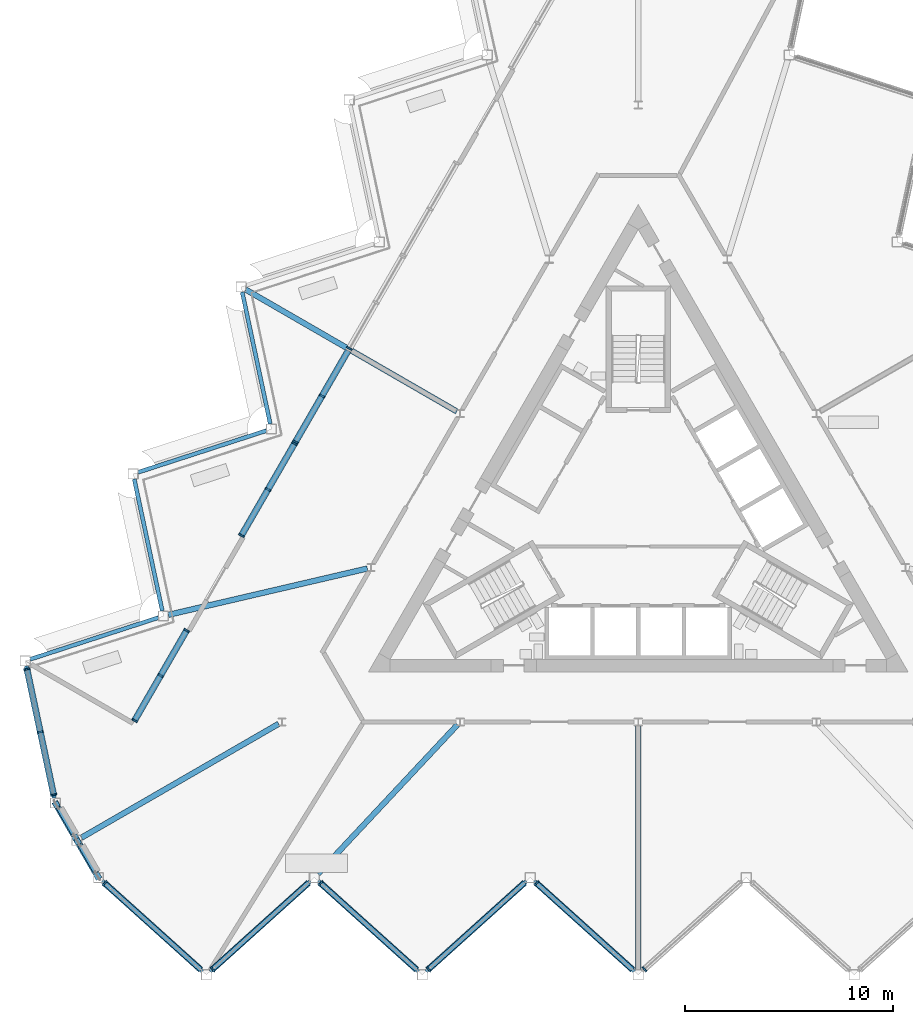
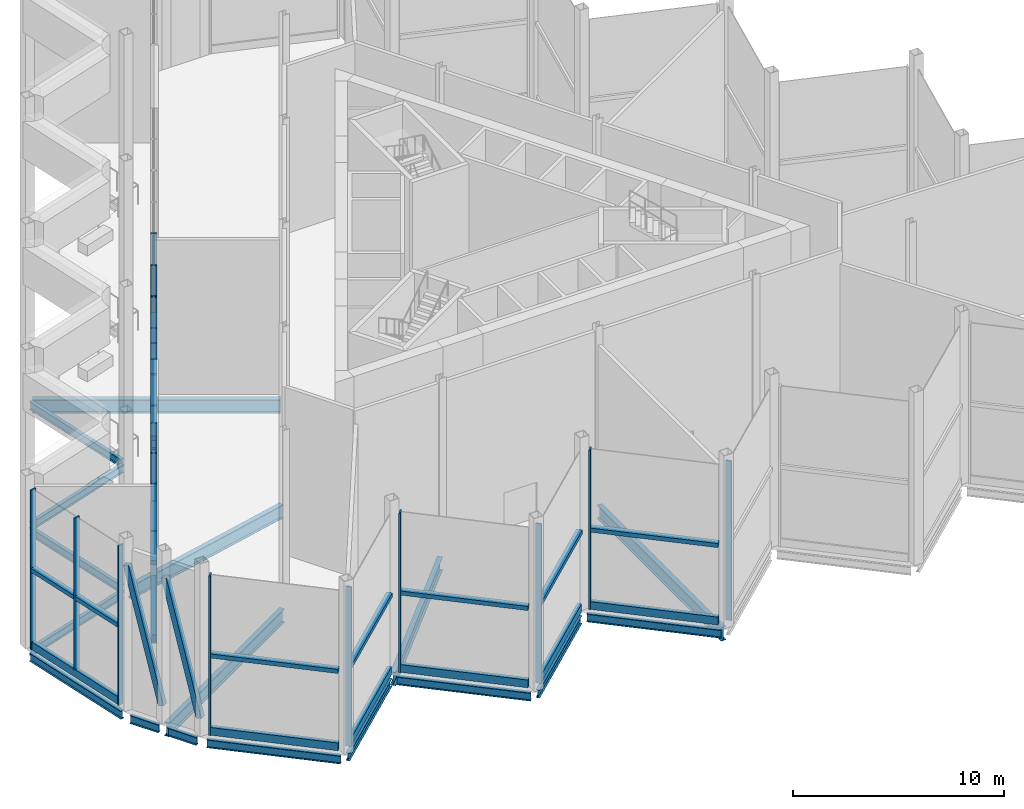
# One storey, part 4 of 18: 42 members, 17 beams, 6 elements without a shape of their own.
"""IFC4 building model written with IfcOpenShell, lengths in metres."""

from ifc_helpers import new_model, si_unit, direction, frame, origin, origin_2d, place, context, subcontext, project, spatial, rectangle, hollow_rectangle, i_section, extrude, material, layer, layer_set, material_profile, profile_set, type_object, element, aggregate, save


model = new_model("IFC4")

# Units and contexts
model_context = context("Model", 3, precision=1e-05, world=origin(), true_north=direction((0.0, 1.0)))
body_context = subcontext(model_context, "Body", "Model", "MODEL_VIEW")
ifc_project = project(units=[si_unit("LENGTHUNIT", "METRE"), si_unit("AREAUNIT", "SQUARE_METRE"), si_unit("VOLUMEUNIT", "CUBIC_METRE"), si_unit("PLANEANGLEUNIT", "RADIAN"), si_unit("MASSUNIT", "GRAM", prefix="KILO")], contexts=[model_context])

# Site, building, storey
site_placement = place(None, origin())
site = spatial("IfcSite", under=ifc_project, at=site_placement, CompositionType="ELEMENT")
building_placement = place(site_placement, origin())
building = spatial("IfcBuilding", under=site, at=building_placement, Name="Cormorant Prow Tower", CompositionType="ELEMENT")
storey_placement = place(building_placement, frame((0.0, 0.0, 405.199951171875)))
storey = spatial("IfcBuildingStorey", under=building, at=storey_placement, Name="L93", CompositionType="ELEMENT", Elevation=405.199951171875)

# Members
ifc_material_1 = material(Name="Structural steel ASTM A500 Gr C", Category="steel")
ifc_material_profile_1 = material_profile(ifc_material_1, hollow_rectangle(XDim=0.3046875, YDim=0.3046875, WallThickness=0.01171875, at=origin_2d()), Name="HSS12x12x1/2")
ifc_profile_set_1 = profile_set([ifc_material_profile_1], Name="Structural steel ASTM A500 Gr C")
member_type_1 = type_object("IfcMemberType", Name="Chamfer brace HSS12x12x1/2", PredefinedType="BRACE", material=ifc_profile_set_1)
for number, where, z_axis, x_axis, name in (
    (1, (-27.074462890625, -15.544921875, 0.890625), (-0.124969088668, 0.216475642173, 0.968256692837), (-0.866048237946, -0.499960447986, 0.0), "Chamfer brace BR3 at WSW00 L93"),
    (2, (-26.03759765625, -17.3408203125, 0.890625), (-0.124969946675, 0.21644541018, 0.968263340647), (-0.866016514357, -0.500015396624, 0.0), "Chamfer brace BR3 at WSW01 L93"),
):
    element("IfcMember", number, at=place(storey_placement, frame(where, z_axis=z_axis, x_axis=x_axis)), inside=storey, type_object=member_type_1, Name=name, PredefinedType="BRACE", context=body_context, shape_type="SweptSolid", body=[
        extrude(hollow_rectangle(XDim=0.3046875, YDim=0.3046875, WallThickness=0.01171875, at=origin_2d()), origin(), (0.0, 0.0, 1.0), 7.697265625),
    ])

# Beams
ifc_material_2 = material(Name="Structural steel ASTM A992 Gr 50", Category="steel")
ifc_material_profile_2 = material_profile(ifc_material_2, i_section(OverallWidth=0.267822265625, OverallDepth=0.77001953125, WebThickness=0.015625, FlangeThickness=0.025390625, at=origin_2d()), Name="W30x132")
ifc_profile_set_2 = profile_set([ifc_material_profile_2], Name="Structural steel ASTM A992 Gr 50")
beam_type_1 = type_object("IfcBeamType", Name="Radial floor beam W30x132", PredefinedType="BEAM", material=ifc_profile_set_2)
beam_1_placement = place(storey_placement, frame((-8.740478515625, 5.04638671875, -0.684814453125), z_axis=(-0.866026702285, 0.499997750924, 0.0), x_axis=(-0.499997750924, -0.866026702285, 0.0)))
element("IfcBeam", 3, at=beam_1_placement, inside=storey, type_object=beam_type_1, Name="Radial floor beam FB3 3 L93", PredefinedType="BEAM", context=body_context, shape_type="SweptSolid", body=[
    extrude(i_section(OverallWidth=0.267822265625, OverallDepth=0.77001953125, WebThickness=0.015625, FlangeThickness=0.025390625, at=origin_2d()), origin(), (0.0, 0.0, 1.0), 11.7451171875),
])
beam_2_placement = place(storey_placement, frame((-13.0498046875, -2.518798828125, -0.684814453125), z_axis=(-0.973926084128, -0.226865560752, 0.0), x_axis=(0.226865560752, -0.973926084128, 0.0)))
element("IfcBeam", 4, at=beam_2_placement, inside=storey, type_object=beam_type_1, Name="Radial floor beam FB3 4 L93", PredefinedType="BEAM", context=body_context, shape_type="SweptSolid", body=[
    extrude(i_section(OverallWidth=0.267822265625, OverallDepth=0.77001953125, WebThickness=0.015625, FlangeThickness=0.025390625, at=origin_2d()), origin(), (0.0, 0.0, 1.0), 9.837158203125),
])
beam_3_placement = place(storey_placement, frame((-17.31884765625, -9.9990234375, -0.684814453125), z_axis=(-0.866018830095, -0.500011385791, 0.0), x_axis=(0.500011385791, -0.866018830095, 0.0)))
element("IfcBeam", 5, at=beam_3_placement, inside=storey, type_object=beam_type_1, Name="Radial floor beam FB3 5 L93", PredefinedType="BEAM", context=body_context, shape_type="SweptSolid", body=[
    extrude(i_section(OverallWidth=0.267822265625, OverallDepth=0.77001953125, WebThickness=0.015625, FlangeThickness=0.025390625, at=origin_2d()), origin(), (0.0, 0.0, 1.0), 10.971435546875),
])
beam_4_placement = place(storey_placement, frame((-8.706298828125, -10.0419921875, -0.684814453125), z_axis=(-0.683430760659, -0.730015339144, 0.0), x_axis=(0.730015339144, -0.683430760659, 0.0)))
element("IfcBeam", 6, at=beam_4_placement, inside=storey, type_object=beam_type_1, Name="Radial floor beam FB3 6 L93", PredefinedType="BEAM", context=body_context, shape_type="SweptSolid", body=[
    extrude(i_section(OverallWidth=0.267822265625, OverallDepth=0.77001953125, WebThickness=0.015625, FlangeThickness=0.025390625, at=origin_2d()), origin(), (0.0, 0.0, 1.0), 9.8369140625),
])
beam_5_placement = place(storey_placement, frame((0.0, -10.092529296875, -0.684814453125), z_axis=(0.0, -1.0, 0.0), x_axis=(1.0, 0.0, 0.0)))
element("IfcBeam", 7, at=beam_5_placement, inside=storey, type_object=beam_type_1, Name="Radial floor beam FB3 7 L93", PredefinedType="BEAM", context=body_context, shape_type="SweptSolid", body=[
    extrude(i_section(OverallWidth=0.267822265625, OverallDepth=0.77001953125, WebThickness=0.015625, FlangeThickness=0.025390625, at=origin_2d()), origin(), (0.0, 0.0, 1.0), 11.745361328125),
])

# Curtain wall, members
ifc_material_3 = material(Name="Aluminium 6063-T6", Category="aluminium")
ifc_layer = layer(ifc_material_3, 0.300048828125)
ifc_layer_set = layer_set([ifc_layer], Name="Aluminium 6063-T6")
curtain_wall_type = type_object("IfcCurtainWallType", Name="Sky lobby unitised curtain wall 300", PredefinedType="NOTDEFINED", material=ifc_layer_set)
curtain_wall_1_placement = place(storey_placement, origin())
curtain_wall_1 = element("IfcCurtainWall", 8, at=curtain_wall_1_placement, inside=storey, type_object=curtain_wall_type, Name="Sky lobby curtain wall S00-S09", PredefinedType="NOTDEFINED")
ifc_material_4 = material(Name="Aluminium 6063-T6", Category="aluminium")
ifc_material_profile_3 = material_profile(ifc_material_4, rectangle(XDim=0.300048828125, YDim=0.239990234375, at=origin_2d()), Name="Sky lobby intermediate transom 300x240")
ifc_profile_set_3 = profile_set([ifc_material_profile_3], Name="Aluminium 6063-T6")
member_type_2 = type_object("IfcMemberType", Name="Sky lobby intermediate transom 300x240", PredefinedType="USERDEFINED", material=ifc_profile_set_3)
member_1_placement = place(storey_placement, frame((-25.66845703125, -17.7041015625, 4.616943359375), z_axis=(0.743123371141, -0.669154433046, 0.0), x_axis=(0.669154433046, 0.743123371141, 0.0)))
member_1 = element("IfcMember", 9, at=member_1_placement, type_object=member_type_2, Name="Sky lobby intermediate transom S00-S09", ObjectType="TRANSOM", PredefinedType="USERDEFINED", context=body_context, shape_type="SweptSolid", body=[
    extrude(rectangle(XDim=0.300048828125, YDim=0.239990234375, at=origin_2d()), origin(), (0.0, 0.0, 1.0), 6.185302734375),
])
member_2_placement = place(storey_placement, frame((-20.468505859375, -21.789306640625, 4.616943359375), z_axis=(0.743142998934, 0.669132634935, 0.0), x_axis=(-0.669132634935, 0.743142998934, 0.0)))
member_2 = element("IfcMember", 10, at=member_2_placement, type_object=member_type_2, Name="Sky lobby intermediate transom S00-S09", ObjectType="TRANSOM", PredefinedType="USERDEFINED", context=body_context, shape_type="SweptSolid", body=[
    extrude(rectangle(XDim=0.300048828125, YDim=0.239990234375, at=origin_2d()), origin(), (0.0, 0.0, 1.0), 6.18505859375),
])
member_3_placement = place(storey_placement, frame((-15.2685546875, -17.7041015625, 4.616943359375), z_axis=(0.743141044268, -0.669134805793, 0.0), x_axis=(0.669134805793, 0.743141044268, 0.0)))
member_3 = element("IfcMember", 11, at=member_3_placement, type_object=member_type_2, Name="Sky lobby intermediate transom S00-S09", ObjectType="TRANSOM", PredefinedType="USERDEFINED", context=body_context, shape_type="SweptSolid", body=[
    extrude(rectangle(XDim=0.300048828125, YDim=0.239990234375, at=origin_2d()), origin(), (0.0, 0.0, 1.0), 6.185546875),
])
member_4_placement = place(storey_placement, frame((-10.068603515625, -21.789306640625, 4.616943359375), z_axis=(0.743160671377, 0.669113007286, 0.0), x_axis=(-0.669113007286, 0.743160671377, 0.0)))
member_4 = element("IfcMember", 12, at=member_4_placement, type_object=member_type_2, Name="Sky lobby intermediate transom S00-S09", ObjectType="TRANSOM", PredefinedType="USERDEFINED", context=body_context, shape_type="SweptSolid", body=[
    extrude(rectangle(XDim=0.300048828125, YDim=0.239990234375, at=origin_2d()), origin(), (0.0, 0.0, 1.0), 6.185302734375),
])
member_5_placement = place(storey_placement, frame((-4.86865234375, -17.7041015625, 4.616943359375), z_axis=(0.743141044268, -0.669134805793, 0.0), x_axis=(0.669134805793, 0.743141044268, 0.0)))
member_5 = element("IfcMember", 13, at=member_5_placement, type_object=member_type_2, Name="Sky lobby intermediate transom S00-S09", ObjectType="TRANSOM", PredefinedType="USERDEFINED", context=body_context, shape_type="SweptSolid", body=[
    extrude(rectangle(XDim=0.300048828125, YDim=0.239990234375, at=origin_2d()), origin(), (0.0, 0.0, 1.0), 6.185546875),
])

curtain_wall_2_placement = place(storey_placement, origin())
curtain_wall_2 = element("IfcCurtainWall", 14, at=curtain_wall_2_placement, inside=storey, type_object=curtain_wall_type, Name="Sky lobby curtain wall WNW09", PredefinedType="NOTDEFINED")
member_6_placement = place(storey_placement, frame((-29.435791015625, -7.40576171875, 4.616943359375), z_axis=(0.20786844818, -0.978156791241, 0.0), x_axis=(0.978156791241, 0.20786844818, 0.0)))
member_6 = element("IfcMember", 15, at=member_6_placement, type_object=member_type_2, Name="Sky lobby intermediate transom WNW09", ObjectType="TRANSOM", PredefinedType="USERDEFINED", context=body_context, shape_type="SweptSolid", body=[
    extrude(rectangle(XDim=0.300048828125, YDim=0.239990234375, at=origin_2d()), origin(), (0.0, 0.0, 1.0), 3.0126953125),
])
member_7_placement = place(storey_placement, frame((-28.79296875, -10.4306640625, 4.616943359375), z_axis=(0.207945984856, -0.978140310683, 0.0), x_axis=(0.978140310683, 0.207945984856, 0.0)))
member_7 = element("IfcMember", 16, at=member_7_placement, type_object=member_type_2, Name="Sky lobby intermediate transom WNW09", ObjectType="TRANSOM", PredefinedType="USERDEFINED", context=body_context, shape_type="SweptSolid", body=[
    extrude(rectangle(XDim=0.300048828125, YDim=0.239990234375, at=origin_2d()), origin(), (0.0, 0.0, 1.0), 3.0126953125),
])

curtain_wall_3_placement = place(storey_placement, origin())
curtain_wall_3 = element("IfcCurtainWall", 17, at=curtain_wall_3_placement, inside=storey, type_object=curtain_wall_type, Name="Sky lobby curtain wall loggia WNW05", PredefinedType="NOTDEFINED")
member_8_placement = place(storey_placement, frame((-13.972412109375, 7.974609375, 4.616943359375), z_axis=(-0.50000366821, -0.866023285932, 0.0), x_axis=(0.866023285932, -0.50000366821, 0.0)))
member_8 = element("IfcMember", 18, at=member_8_placement, type_object=member_type_2, Name="Sky lobby intermediate transom loggia WNW05", ObjectType="TRANSOM", PredefinedType="USERDEFINED", context=body_context, shape_type="SweptSolid", body=[
    extrude(rectangle(XDim=0.300048828125, YDim=0.239990234375, at=origin_2d()), origin(), (0.0, 0.0, 1.0), 2.47998046875),
])
member_9_placement = place(storey_placement, frame((-15.25244140625, 5.757568359375, 4.616943359375), z_axis=(-0.50000366821, -0.866023285932, 0.0), x_axis=(0.866023285932, -0.50000366821, 0.0)))
member_9 = element("IfcMember", 19, at=member_9_placement, type_object=member_type_2, Name="Sky lobby intermediate transom loggia WNW05", ObjectType="TRANSOM", PredefinedType="USERDEFINED", context=body_context, shape_type="SweptSolid", body=[
    extrude(rectangle(XDim=0.300048828125, YDim=0.239990234375, at=origin_2d()), origin(), (0.0, 0.0, 1.0), 2.47998046875),
])

curtain_wall_4_placement = place(storey_placement, origin())
curtain_wall_4 = element("IfcCurtainWall", 20, at=curtain_wall_4_placement, inside=storey, type_object=curtain_wall_type, Name="Sky lobby curtain wall loggia WNW06", PredefinedType="NOTDEFINED")
member_10_placement = place(storey_placement, frame((-16.572509765625, 3.47119140625, 4.616943359375), z_axis=(-0.50000366821, -0.866023285932, 0.0), x_axis=(0.866023285932, -0.50000366821, 0.0)))
member_10 = element("IfcMember", 21, at=member_10_placement, type_object=member_type_2, Name="Sky lobby intermediate transom loggia WNW06", ObjectType="TRANSOM", PredefinedType="USERDEFINED", context=body_context, shape_type="SweptSolid", body=[
    extrude(rectangle(XDim=0.300048828125, YDim=0.239990234375, at=origin_2d()), origin(), (0.0, 0.0, 1.0), 2.47998046875),
])
member_11_placement = place(storey_placement, frame((-17.8525390625, 1.25439453125, 4.616943359375), z_axis=(-0.499961042966, -0.86604789447, 0.0), x_axis=(0.86604789447, -0.499961042966, 0.0)))
member_11 = element("IfcMember", 22, at=member_11_placement, type_object=member_type_2, Name="Sky lobby intermediate transom loggia WNW06", ObjectType="TRANSOM", PredefinedType="USERDEFINED", context=body_context, shape_type="SweptSolid", body=[
    extrude(rectangle(XDim=0.300048828125, YDim=0.239990234375, at=origin_2d()), origin(), (0.0, 0.0, 1.0), 2.480224609375),
])

curtain_wall_5_placement = place(storey_placement, origin())
curtain_wall_5 = element("IfcCurtainWall", 23, at=curtain_wall_5_placement, inside=storey, type_object=curtain_wall_type, Name="Sky lobby curtain wall loggia WNW08", PredefinedType="NOTDEFINED")
member_12_placement = place(storey_placement, frame((-21.7724609375, -5.535400390625, 4.616943359375), z_axis=(-0.499972286653, -0.866041403502, 0.0), x_axis=(0.866041403502, -0.499972286653, 0.0)))
member_12 = element("IfcMember", 24, at=member_12_placement, type_object=member_type_2, Name="Sky lobby intermediate transom loggia WNW08", ObjectType="TRANSOM", PredefinedType="USERDEFINED", context=body_context, shape_type="SweptSolid", body=[
    extrude(rectangle(XDim=0.300048828125, YDim=0.239990234375, at=origin_2d()), origin(), (0.0, 0.0, 1.0), 2.425048828125),
])
member_13_placement = place(storey_placement, frame((-23.02490234375, -7.704833984375, 4.616943359375), z_axis=(-0.500047793048, -0.865997808697, 0.0), x_axis=(0.865997808697, -0.500047793048, 0.0)))
member_13 = element("IfcMember", 25, at=member_13_placement, type_object=member_type_2, Name="Sky lobby intermediate transom loggia WNW08", ObjectType="TRANSOM", PredefinedType="USERDEFINED", context=body_context, shape_type="SweptSolid", body=[
    extrude(rectangle(XDim=0.300048828125, YDim=0.239990234375, at=origin_2d()), origin(), (0.0, 0.0, 1.0), 2.425048828125),
])

# Member
ifc_material_5 = material(Name="Aluminium 6063-T6", Category="aluminium")
ifc_material_profile_4 = material_profile(ifc_material_5, rectangle(XDim=0.300048828125, YDim=0.080078125, at=origin_2d()), Name="Sky lobby mullion 80x300")
ifc_profile_set_4 = profile_set([ifc_material_profile_4], Name="Aluminium 6063-T6")
member_type_3 = type_object("IfcMemberType", Name="Sky lobby mullion 80x300", PredefinedType="MULLION", material=ifc_profile_set_4)
member_14_placement = place(storey_placement, frame((-25.6982421875, -17.677490234375, 0.0), z_axis=(0.0, 0.0, 1.0), x_axis=(0.669130603959, 0.743144827638, 0.0)))
member_14 = element("IfcMember", 26, at=member_14_placement, type_object=member_type_3, Name="Sky lobby mullion S00-S09", PredefinedType="MULLION", context=body_context, shape_type="SweptSolid", body=[
    extrude(rectangle(XDim=0.300048828125, YDim=0.080078125, at=origin_2d()), origin(), (0.0, 0.0, 1.0), 9.23388671875),
])

member_15_placement = place(storey_placement, frame((-20.498291015625, -21.816162109375, 0.0), z_axis=(0.0, 0.0, 1.0), x_axis=(-0.669130603959, 0.743144827638, 0.0)))
member_15 = element("IfcMember", 27, at=member_15_placement, type_object=member_type_3, Name="Sky lobby mullion S00-S09", PredefinedType="MULLION", context=body_context, shape_type="SweptSolid", body=[
    extrude(rectangle(XDim=0.300048828125, YDim=0.080078125, at=origin_2d()), origin(), (0.0, 0.0, 1.0), 9.23388671875),
])

member_16_placement = place(storey_placement, frame((-15.29833984375, -17.677490234375, 0.0), z_axis=(0.0, 0.0, 1.0), x_axis=(0.669130603959, 0.743144827638, 0.0)))
member_16 = element("IfcMember", 28, at=member_16_placement, type_object=member_type_3, Name="Sky lobby mullion S00-S09", PredefinedType="MULLION", context=body_context, shape_type="SweptSolid", body=[
    extrude(rectangle(XDim=0.300048828125, YDim=0.080078125, at=origin_2d()), origin(), (0.0, 0.0, 1.0), 9.23388671875),
])

member_17_placement = place(storey_placement, frame((-10.098388671875, -21.816162109375, 0.0), z_axis=(0.0, 0.0, 1.0), x_axis=(-0.669130603959, 0.743144827638, 0.0)))
member_17 = element("IfcMember", 29, at=member_17_placement, type_object=member_type_3, Name="Sky lobby mullion S00-S09", PredefinedType="MULLION", context=body_context, shape_type="SweptSolid", body=[
    extrude(rectangle(XDim=0.300048828125, YDim=0.080078125, at=origin_2d()), origin(), (0.0, 0.0, 1.0), 9.23388671875),
])

member_18_placement = place(storey_placement, frame((-4.898193359375, -17.677490234375, 0.0), z_axis=(0.0, 0.0, 1.0), x_axis=(0.669130603959, 0.743144827638, 0.0)))
member_18 = element("IfcMember", 30, at=member_18_placement, type_object=member_type_3, Name="Sky lobby mullion S00-S09", PredefinedType="MULLION", context=body_context, shape_type="SweptSolid", body=[
    extrude(rectangle(XDim=0.300048828125, YDim=0.080078125, at=origin_2d()), origin(), (0.0, 0.0, 1.0), 9.23388671875),
])

member_19_placement = place(storey_placement, frame((0.3017578125, -21.816162109375, 0.0), z_axis=(0.0, 0.0, 1.0), x_axis=(-0.669130603959, 0.743144827638, 0.0)))
member_19 = element("IfcMember", 31, at=member_19_placement, type_object=member_type_3, Name="Sky lobby mullion S00-S09", PredefinedType="MULLION", context=body_context, shape_type="SweptSolid", body=[
    extrude(rectangle(XDim=0.300048828125, YDim=0.080078125, at=origin_2d()), origin(), (0.0, 0.0, 1.0), 9.23388671875),
])

member_20_placement = place(storey_placement, frame((-29.444091796875, -7.366455078125, 0.0), z_axis=(0.0, 0.0, 1.0), x_axis=(0.978147615768, 0.207911620089, 0.0)))
member_20 = element("IfcMember", 32, at=member_20_placement, type_object=member_type_3, Name="Sky lobby mullion WNW09", PredefinedType="MULLION", context=body_context, shape_type="SweptSolid", body=[
    extrude(rectangle(XDim=0.300048828125, YDim=0.080078125, at=origin_2d()), origin(), (0.0, 0.0, 1.0), 9.23388671875),
])

member_21_placement = place(storey_placement, frame((-28.80126953125, -10.3916015625, 0.449951171875), z_axis=(0.0, 0.0, 1.0), x_axis=(0.978147615768, 0.207911620089, 0.0)))
member_21 = element("IfcMember", 33, at=member_21_placement, type_object=member_type_3, Name="Sky lobby mullion WNW09", PredefinedType="MULLION", context=body_context, shape_type="SweptSolid", body=[
    extrude(rectangle(XDim=0.300048828125, YDim=0.080078125, at=origin_2d()), origin(), (0.0, 0.0, 1.0), 8.783935546875),
])

member_22_placement = place(storey_placement, frame((-28.158203125, -13.416748046875, 0.0), z_axis=(0.0, 0.0, 1.0), x_axis=(0.978147615768, 0.207911620089, 0.0)))
member_22 = element("IfcMember", 34, at=member_22_placement, type_object=member_type_3, Name="Sky lobby mullion WNW09", PredefinedType="MULLION", context=body_context, shape_type="SweptSolid", body=[
    extrude(rectangle(XDim=0.300048828125, YDim=0.080078125, at=origin_2d()), origin(), (0.0, 0.0, 1.0), 9.23388671875),
])

# Curtain wall, member
curtain_wall_6_placement = place(storey_placement, origin())
curtain_wall_6 = element("IfcCurtainWall", 35, at=curtain_wall_6_placement, inside=storey, type_object=curtain_wall_type, Name="Sky lobby curtain wall loggia WNW04", PredefinedType="NOTDEFINED")
member_23_placement = place(storey_placement, frame((-13.912353515625, 8.07861328125, 0.0), z_axis=(0.0, 0.0, 1.0), x_axis=(0.86602540861, -0.499999991641, 0.0)))
member_23 = element("IfcMember", 36, at=member_23_placement, type_object=member_type_3, Name="Sky lobby mullion loggia WNW04", PredefinedType="MULLION", context=body_context, shape_type="SweptSolid", body=[
    extrude(rectangle(XDim=0.300048828125, YDim=0.080078125, at=origin_2d()), origin(), (0.0, 0.0, 1.0), 9.23388671875),
])
aggregate(curtain_wall_6, [member_23])

# Member
member_24_placement = place(storey_placement, frame((-15.232421875, 5.792236328125, 0.449951171875), z_axis=(0.0, 0.0, 1.0), x_axis=(0.86602540861, -0.499999991641, 0.0)))
member_24 = element("IfcMember", 37, at=member_24_placement, type_object=member_type_3, Name="Sky lobby mullion loggia WNW05", PredefinedType="MULLION", context=body_context, shape_type="SweptSolid", body=[
    extrude(rectangle(XDim=0.300048828125, YDim=0.080078125, at=origin_2d()), origin(), (0.0, 0.0, 1.0), 8.783935546875),
])

member_25_placement = place(storey_placement, frame((-16.512451171875, 3.5751953125, 0.0), z_axis=(0.0, 0.0, 1.0), x_axis=(0.86602540861, -0.499999991641, 0.0)))
member_25 = element("IfcMember", 38, at=member_25_placement, type_object=member_type_3, Name="Sky lobby mullion loggia WNW05", PredefinedType="MULLION", context=body_context, shape_type="SweptSolid", body=[
    extrude(rectangle(XDim=0.300048828125, YDim=0.080078125, at=origin_2d()), origin(), (0.0, 0.0, 1.0), 9.23388671875),
])

member_26_placement = place(storey_placement, frame((-16.552490234375, 3.505859375, 0.0), z_axis=(0.0, 0.0, 1.0), x_axis=(0.86602540861, -0.499999991641, 0.0)))
member_26 = element("IfcMember", 39, at=member_26_placement, type_object=member_type_3, Name="Sky lobby mullion loggia WNW06", PredefinedType="MULLION", context=body_context, shape_type="SweptSolid", body=[
    extrude(rectangle(XDim=0.300048828125, YDim=0.080078125, at=origin_2d()), origin(), (0.0, 0.0, 1.0), 9.23388671875),
])

member_27_placement = place(storey_placement, frame((-17.83251953125, 1.288818359375, 0.449951171875), z_axis=(0.0, 0.0, 1.0), x_axis=(0.86602540861, -0.499999991641, 0.0)))
member_27 = element("IfcMember", 40, at=member_27_placement, type_object=member_type_3, Name="Sky lobby mullion loggia WNW06", PredefinedType="MULLION", context=body_context, shape_type="SweptSolid", body=[
    extrude(rectangle(XDim=0.300048828125, YDim=0.080078125, at=origin_2d()), origin(), (0.0, 0.0, 1.0), 8.783935546875),
])

member_28_placement = place(storey_placement, frame((-19.112548828125, -0.92822265625, 0.0), z_axis=(0.0, 0.0, 1.0), x_axis=(0.86602540861, -0.499999991641, 0.0)))
member_28 = element("IfcMember", 41, at=member_28_placement, type_object=member_type_3, Name="Sky lobby mullion loggia WNW06", PredefinedType="MULLION", context=body_context, shape_type="SweptSolid", body=[
    extrude(rectangle(XDim=0.300048828125, YDim=0.080078125, at=origin_2d()), origin(), (0.0, 0.0, 1.0), 9.23388671875),
])

member_29_placement = place(storey_placement, frame((-21.75244140625, -5.500732421875, 0.0), z_axis=(0.0, 0.0, 1.0), x_axis=(0.86602540861, -0.499999991641, 0.0)))
member_29 = element("IfcMember", 42, at=member_29_placement, type_object=member_type_3, Name="Sky lobby mullion loggia WNW08", PredefinedType="MULLION", context=body_context, shape_type="SweptSolid", body=[
    extrude(rectangle(XDim=0.300048828125, YDim=0.080078125, at=origin_2d()), origin(), (0.0, 0.0, 1.0), 9.23388671875),
])

member_30_placement = place(storey_placement, frame((-23.0048828125, -7.670166015625, 0.449951171875), z_axis=(0.0, 0.0, 1.0), x_axis=(0.86602540861, -0.499999991641, 0.0)))
member_30 = element("IfcMember", 43, at=member_30_placement, type_object=member_type_3, Name="Sky lobby mullion loggia WNW08", PredefinedType="MULLION", context=body_context, shape_type="SweptSolid", body=[
    extrude(rectangle(XDim=0.300048828125, YDim=0.080078125, at=origin_2d()), origin(), (0.0, 0.0, 1.0), 8.783935546875),
])

member_31_placement = place(storey_placement, frame((-24.257568359375, -9.839599609375, 0.0), z_axis=(0.0, 0.0, 1.0), x_axis=(0.86602540861, -0.499999991641, 0.0)))
member_31 = element("IfcMember", 44, at=member_31_placement, type_object=member_type_3, Name="Sky lobby mullion loggia WNW08", PredefinedType="MULLION", context=body_context, shape_type="SweptSolid", body=[
    extrude(rectangle(XDim=0.300048828125, YDim=0.080078125, at=origin_2d()), origin(), (0.0, 0.0, 1.0), 9.23388671875),
])

ifc_material_6 = material(Name="Terracotta", Category="masonry")
ifc_material_profile_5 = material_profile(ifc_material_6, rectangle(XDim=0.219970703125, YDim=0.449951171875, at=origin_2d()), Name="Sky lobby terracotta spandrel rail 220x450")
ifc_profile_set_5 = profile_set([ifc_material_profile_5], Name="Terracotta")
member_type_4 = type_object("IfcMemberType", Name="Sky lobby terracotta spandrel rail 220x450", PredefinedType="USERDEFINED", material=ifc_profile_set_5)
member_32_placement = place(storey_placement, frame((-25.66845703125, -17.7041015625, 0.22509765625), z_axis=(0.743123371141, -0.669154433046, 0.0), x_axis=(0.669154433046, 0.743123371141, 0.0)))
member_32 = element("IfcMember", 45, at=member_32_placement, type_object=member_type_4, Name="Sky lobby spandrel rail S00-S09", ObjectType="TRANSOM", PredefinedType="USERDEFINED", context=body_context, shape_type="SweptSolid", body=[
    extrude(rectangle(XDim=0.219970703125, YDim=0.449951171875, at=origin_2d()), origin(), (0.0, 0.0, 1.0), 6.185302734375),
])

member_33_placement = place(storey_placement, frame((-20.468505859375, -21.789306640625, 0.22509765625), z_axis=(0.743142998934, 0.669132634935, 0.0), x_axis=(-0.669132634935, 0.743142998934, 0.0)))
member_33 = element("IfcMember", 46, at=member_33_placement, type_object=member_type_4, Name="Sky lobby spandrel rail S00-S09", ObjectType="TRANSOM", PredefinedType="USERDEFINED", context=body_context, shape_type="SweptSolid", body=[
    extrude(rectangle(XDim=0.219970703125, YDim=0.449951171875, at=origin_2d()), origin(), (0.0, 0.0, 1.0), 6.18505859375),
])

member_34_placement = place(storey_placement, frame((-15.2685546875, -17.7041015625, 0.22509765625), z_axis=(0.743141044268, -0.669134805793, 0.0), x_axis=(0.669134805793, 0.743141044268, 0.0)))
member_34 = element("IfcMember", 47, at=member_34_placement, type_object=member_type_4, Name="Sky lobby spandrel rail S00-S09", ObjectType="TRANSOM", PredefinedType="USERDEFINED", context=body_context, shape_type="SweptSolid", body=[
    extrude(rectangle(XDim=0.219970703125, YDim=0.449951171875, at=origin_2d()), origin(), (0.0, 0.0, 1.0), 6.185546875),
])

member_35_placement = place(storey_placement, frame((-10.068603515625, -21.789306640625, 0.22509765625), z_axis=(0.743160671377, 0.669113007286, 0.0), x_axis=(-0.669113007286, 0.743160671377, 0.0)))
member_35 = element("IfcMember", 48, at=member_35_placement, type_object=member_type_4, Name="Sky lobby spandrel rail S00-S09", ObjectType="TRANSOM", PredefinedType="USERDEFINED", context=body_context, shape_type="SweptSolid", body=[
    extrude(rectangle(XDim=0.219970703125, YDim=0.449951171875, at=origin_2d()), origin(), (0.0, 0.0, 1.0), 6.185302734375),
])

member_36_placement = place(storey_placement, frame((-4.86865234375, -17.7041015625, 0.22509765625), z_axis=(0.743141044268, -0.669134805793, 0.0), x_axis=(0.669134805793, 0.743141044268, 0.0)))
member_36 = element("IfcMember", 49, at=member_36_placement, type_object=member_type_4, Name="Sky lobby spandrel rail S00-S09", ObjectType="TRANSOM", PredefinedType="USERDEFINED", context=body_context, shape_type="SweptSolid", body=[
    extrude(rectangle(XDim=0.219970703125, YDim=0.449951171875, at=origin_2d()), origin(), (0.0, 0.0, 1.0), 6.185546875),
])

aggregate(curtain_wall_1, [member_14, member_32, member_1, member_15, member_33, member_2, member_16, member_34, member_3, member_17, member_35, member_4, member_18, member_36, member_5, member_19])

member_37_placement = place(storey_placement, frame((-29.435791015625, -7.40576171875, 0.22509765625), z_axis=(0.20790658302, -0.978148686416, 0.0), x_axis=(0.978148686416, 0.20790658302, 0.0)))
member_37 = element("IfcMember", 50, at=member_37_placement, type_object=member_type_4, Name="Sky lobby spandrel rail WNW09", ObjectType="TRANSOM", PredefinedType="USERDEFINED", context=body_context, shape_type="SweptSolid", body=[
    extrude(rectangle(XDim=0.219970703125, YDim=0.449951171875, at=origin_2d()), origin(), (0.0, 0.0, 1.0), 6.10498046875),
])

aggregate(curtain_wall_2, [member_20, member_21, member_22, member_37, member_6, member_7])

member_38_placement = place(storey_placement, frame((-13.972412109375, 7.974609375, 0.22509765625), z_axis=(-0.500004791531, -0.866022637375, 0.0), x_axis=(0.866022637375, -0.500004791531, 0.0)))
member_38 = element("IfcMember", 51, at=member_38_placement, type_object=member_type_4, Name="Sky lobby spandrel rail loggia WNW05", ObjectType="TRANSOM", PredefinedType="USERDEFINED", context=body_context, shape_type="SweptSolid", body=[
    extrude(rectangle(XDim=0.219970703125, YDim=0.449951171875, at=origin_2d()), origin(), (0.0, 0.0, 1.0), 5.0400390625),
])

aggregate(curtain_wall_3, [member_24, member_25, member_38, member_8, member_9])

member_39_placement = place(storey_placement, frame((-16.572509765625, 3.47119140625, 0.22509765625), z_axis=(-0.500004791531, -0.866022637375, 0.0), x_axis=(0.866022637375, -0.500004791531, 0.0)))
member_39 = element("IfcMember", 52, at=member_39_placement, type_object=member_type_4, Name="Sky lobby spandrel rail loggia WNW06", ObjectType="TRANSOM", PredefinedType="USERDEFINED", context=body_context, shape_type="SweptSolid", body=[
    extrude(rectangle(XDim=0.219970703125, YDim=0.449951171875, at=origin_2d()), origin(), (0.0, 0.0, 1.0), 5.0400390625),
])

aggregate(curtain_wall_4, [member_26, member_27, member_28, member_39, member_10, member_11])

member_40_placement = place(storey_placement, frame((-21.7724609375, -5.535400390625, 0.22509765625), z_axis=(-0.500011086137, -0.866019003106, 0.0), x_axis=(0.866019003106, -0.500011086137, 0.0)))
member_40 = element("IfcMember", 53, at=member_40_placement, type_object=member_type_4, Name="Sky lobby spandrel rail loggia WNW08", ObjectType="TRANSOM", PredefinedType="USERDEFINED", context=body_context, shape_type="SweptSolid", body=[
    extrude(rectangle(XDim=0.219970703125, YDim=0.449951171875, at=origin_2d()), origin(), (0.0, 0.0, 1.0), 4.93017578125),
])

aggregate(curtain_wall_5, [member_29, member_30, member_31, member_40, member_12, member_13])

# Beams
ifc_material_7 = material(Name="Structural steel ASTM A992 Gr 50", Category="steel")
ifc_material_profile_6 = material_profile(ifc_material_7, i_section(OverallWidth=0.19287109375, OverallDepth=0.466064453125, WebThickness=0.011474609375, FlangeThickness=0.01904296875, at=origin_2d()), Name="W18x65")
ifc_profile_set_6 = profile_set([ifc_material_profile_6], Name="Structural steel ASTM A992 Gr 50")
beam_type_2 = type_object("IfcBeamType", Name="Spandrel beam W18x65", PredefinedType="SPANDREL", material=ifc_profile_set_6)
for number, where, z_axis, x_axis, name in (
    (54, (-25.814208984375, -17.572998046875, -0.532958984375), (0.743131573737, -0.669145323614, 0.0), (0.669145323614, 0.743131573737, 0.0), "Spandrel beam SB4 S00-S01 L93"),
    (55, (-20.6142578125, -21.920654296875, -0.532958984375), (0.743131573737, 0.669145323614, 0.0), (-0.669145323614, 0.743131573737, 0.0), "Spandrel beam SB4 S01-S02 L93"),
):
    element("IfcBeam", number, at=place(storey_placement, frame(where, z_axis=z_axis, x_axis=x_axis)), inside=storey, type_object=beam_type_2, Name=name, PredefinedType="SPANDREL", context=body_context, shape_type="SweptSolid", body=[
        extrude(i_section(OverallWidth=0.19287109375, OverallDepth=0.466064453125, WebThickness=0.011474609375, FlangeThickness=0.01904296875, at=origin_2d()), origin(), (0.0, 0.0, 1.0), 6.497314453125),
    ])
beam_6_placement = place(storey_placement, frame((-15.414306640625, -17.572998046875, -0.532958984375), z_axis=(0.743148397689, -0.669126638995, 0.0), x_axis=(0.669126638995, 0.743148397689, 0.0)))
element("IfcBeam", 56, at=beam_6_placement, inside=storey, type_object=beam_type_2, Name="Spandrel beam SB4 S02-S03 L93", PredefinedType="SPANDREL", context=body_context, shape_type="SweptSolid", body=[
    extrude(i_section(OverallWidth=0.19287109375, OverallDepth=0.466064453125, WebThickness=0.011474609375, FlangeThickness=0.01904296875, at=origin_2d()), origin(), (0.0, 0.0, 1.0), 6.49755859375),
])
for number, where, z_axis, x_axis, name in (
    (57, (-10.214111328125, -21.920654296875, -0.532958984375), (0.743131573737, 0.669145323614, 0.0), (-0.669145323614, 0.743131573737, 0.0), "Spandrel beam SB4 S03-S04 L93"),
    (58, (-5.01416015625, -17.572998046875, -0.532958984375), (0.743131573737, -0.669145323614, 0.0), (0.669145323614, 0.743131573737, 0.0), "Spandrel beam SB4 S04-S05 L93"),
    (59, (-19.07666015625, 10.79931640625, -0.532958984375), (0.207909538847, -0.978148058147, 0.0), (0.978148058147, 0.207909538847, 0.0), "Spandrel beam SB4 WNW05-WNW06 L93"),
    (60, (-17.91162109375, 4.122314453125, -0.532958984375), (-0.951053396625, -0.309026595569, 0.0), (0.309026595569, -0.951053396625, 0.0), "Spandrel beam SB4 WNW06-WNW07 L93"),
    (61, (-24.276611328125, 1.792724609375, -0.532958984375), (0.207909538847, -0.978148058147, 0.0), (0.978148058147, 0.207909538847, 0.0), "Spandrel beam SB4 WNW07-WNW08 L93"),
    (62, (-23.111572265625, -4.88427734375, -0.532958984375), (-0.951053396625, -0.309026595569, 0.0), (0.309026595569, -0.951053396625, 0.0), "Spandrel beam SB4 WNW08-WNW09 L93"),
):
    element("IfcBeam", number, at=place(storey_placement, frame(where, z_axis=z_axis, x_axis=x_axis)), inside=storey, type_object=beam_type_2, Name=name, PredefinedType="SPANDREL", context=body_context, shape_type="SweptSolid", body=[
        extrude(i_section(OverallWidth=0.19287109375, OverallDepth=0.466064453125, WebThickness=0.011474609375, FlangeThickness=0.01904296875, at=origin_2d()), origin(), (0.0, 0.0, 1.0), 6.497314453125),
    ])
beam_7_placement = place(storey_placement, frame((-29.4765625, -7.2138671875, -0.532958984375), z_axis=(0.207901897373, -0.978149682344, 0.0), x_axis=(0.978149682344, 0.207901897373, 0.0)))
element("IfcBeam", 63, at=beam_7_placement, inside=storey, type_object=beam_type_2, Name="Spandrel beam SB4 WNW09-WSW00 L93", PredefinedType="SPANDREL", context=body_context, shape_type="SweptSolid", body=[
    extrude(i_section(OverallWidth=0.19287109375, OverallDepth=0.466064453125, WebThickness=0.011474609375, FlangeThickness=0.01904296875, at=origin_2d()), origin(), (0.0, 0.0, 1.0), 6.49755859375),
])
for number, where, z_axis, x_axis, name in (
    (64, (-27.94873046875, -14.0302734375, -0.532958984375), (0.499959680857, -0.866048680801, 0.0), (0.866048680801, 0.499959680857, 0.0), "Spandrel beam SB4 WSW00-WSW01 L93"),
    (65, (-26.911865234375, -15.826171875, -0.532958984375), (0.499959680857, -0.866048680801, 0.0), (0.866048680801, 0.499959680857, 0.0), "Spandrel beam SB4 WSW01-S00 L93"),
):
    element("IfcBeam", number, at=place(storey_placement, frame(where, z_axis=z_axis, x_axis=x_axis)), inside=storey, type_object=beam_type_2, Name=name, PredefinedType="SPANDREL", context=body_context, shape_type="SweptSolid", body=[
        extrude(i_section(OverallWidth=0.19287109375, OverallDepth=0.466064453125, WebThickness=0.011474609375, FlangeThickness=0.01904296875, at=origin_2d()), origin(), (0.0, 0.0, 1.0), 1.573974609375),
    ])

save(model, "model.ifc")
